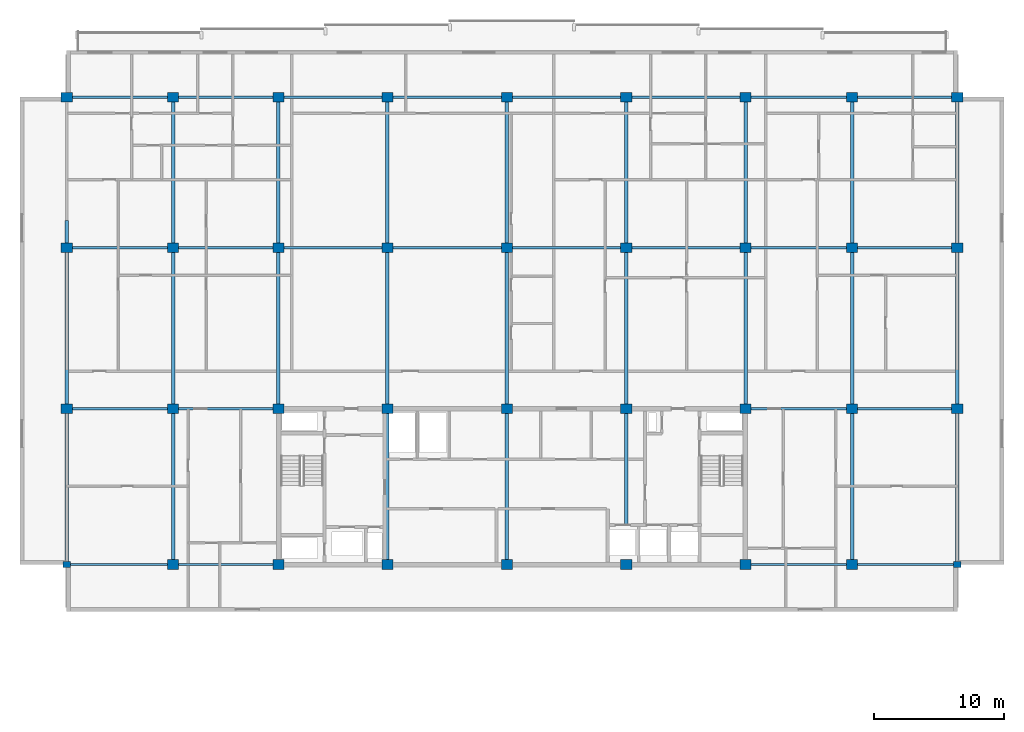
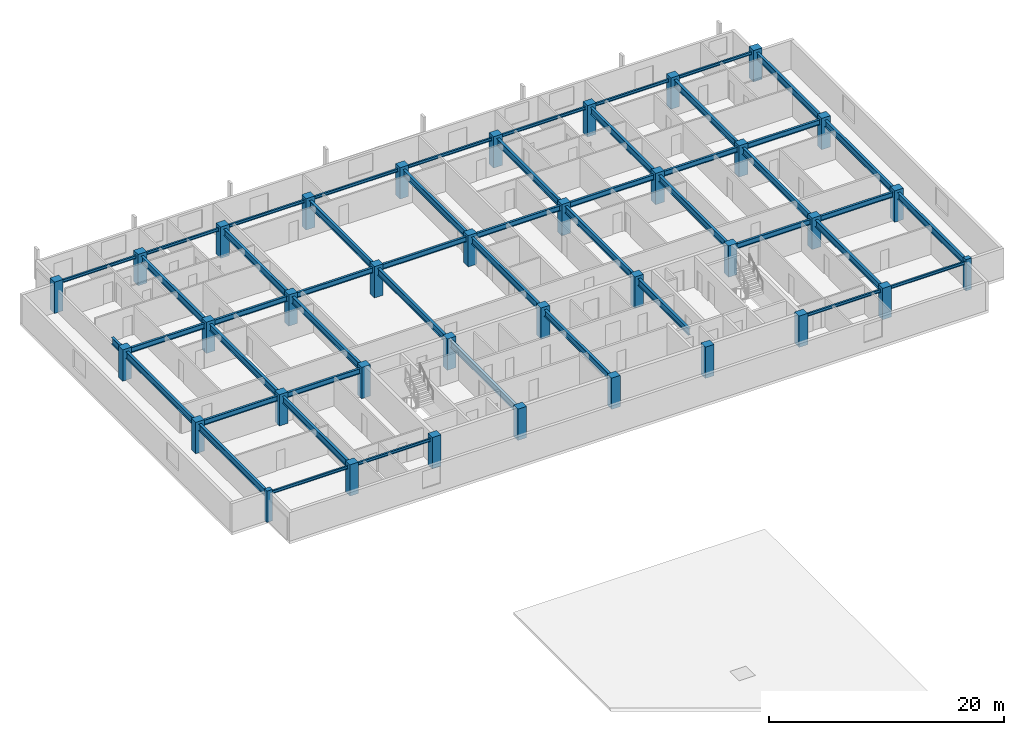
# One storey, part 1 of 11: 49 beams, 36 columns.
"""IFC4 building model written with IfcOpenShell, lengths in metres."""

from ifc_helpers import new_model, si_unit, direction, frame, origin, origin_2d, place, context, subcontext, project, spatial, rectangle, i_section, extrude, material, material_profile, profile_set, type_object, element, save


model = new_model("IFC4")

# Units and contexts
model_context = context("Model", 3, precision=1e-05, world=origin(), true_north=direction((0.0, 1.0)))
body_context = subcontext(model_context, "Body", "Model", "MODEL_VIEW")
ifc_project = project(units=[si_unit("LENGTHUNIT", "METRE"), si_unit("AREAUNIT", "SQUARE_METRE"), si_unit("VOLUMEUNIT", "CUBIC_METRE"), si_unit("PLANEANGLEUNIT", "RADIAN"), si_unit("MASSUNIT", "GRAM", prefix="KILO")], contexts=[model_context])

# Site, building, storey
site_placement = place(None, origin())
site = spatial("IfcSite", under=ifc_project, at=site_placement, CompositionType="ELEMENT")
building_placement = place(site_placement, origin())
building = spatial("IfcBuilding", under=site, at=building_placement, Name="Korimba Cascade Residences", CompositionType="ELEMENT")
storey_placement = place(building_placement, frame((0.0, 0.0, 217.35009765625)))
storey = spatial("IfcBuildingStorey", under=building, at=storey_placement, Name="L63", CompositionType="ELEMENT", Elevation=217.35009765625)

# Columns
ifc_material_1 = material(Name="Concrete C65/80", Category="concrete")
ifc_material_profile_1 = material_profile(ifc_material_1, rectangle(XDim=0.550048828125, YDim=0.449951171875, at=origin_2d()), Name="Concrete C65/80")
ifc_profile_set_1 = profile_set([ifc_material_profile_1], Name="Concrete C65/80")
column_type_1 = type_object("IfcColumnType", Name="COL-PIL-550", PredefinedType="PILASTER", material=ifc_profile_set_1)
for number, where, z_axis, x_axis, name in (
    (1, (59.800048828125, 55.199951171875, 0.0), (0.0, 0.0, 1.0), (1.0, 0.0, 0.0), "L63 Tower 1 Column 1.1"),
    (2, (128.39990234375, 55.199951171875, 0.0), (0.0, 0.0, 1.0), (1.0, 0.0, 0.0), "L63 Tower 1 Column 9.1"),
):
    element("IfcColumn", number, at=place(storey_placement, frame(where, z_axis=z_axis, x_axis=x_axis)), inside=storey, type_object=column_type_1, Name=name, PredefinedType="PILASTER", context=body_context, shape_type="SweptSolid", body=[
        extrude(rectangle(XDim=0.550048828125, YDim=0.449951171875, at=origin_2d()), origin(), (0.0, 0.0, 1.0), 3.25),
    ])
ifc_material_profile_2 = material_profile(ifc_material_1, rectangle(XDim=0.85009765625, YDim=0.75, at=origin_2d()), Name="Concrete C65/80")
ifc_profile_set_2 = profile_set([ifc_material_profile_2], Name="Concrete C65/80")
column_type_2 = type_object("IfcColumnType", Name="COL-RC-850", PredefinedType="COLUMN", material=ifc_profile_set_2)
for number, where, z_axis, x_axis, name in (
    (3, (59.800048828125, 67.199951171875, 0.0), (0.0, 0.0, 1.0), (1.0, 0.0, 0.0), "L63 Tower 1 Column 1.2"),
    (4, (59.800048828125, 79.60009765625, 0.0), (0.0, 0.0, 1.0), (1.0, 0.0, 0.0), "L63 Tower 1 Column 1.3"),
    (5, (59.800048828125, 91.199951171875, 0.0), (0.0, 0.0, 1.0), (1.0, 0.0, 0.0), "L63 Tower 1 Column 1.4"),
    (6, (68.0, 55.199951171875, 0.0), (0.0, 0.0, 1.0), (1.0, 0.0, 0.0), "L63 Tower 1 Column 2.1"),
    (7, (68.0, 67.199951171875, 0.0), (0.0, 0.0, 1.0), (1.0, 0.0, 0.0), "L63 Tower 1 Column 2.2"),
    (8, (68.0, 79.60009765625, 0.0), (0.0, 0.0, 1.0), (1.0, 0.0, 0.0), "L63 Tower 1 Column 2.3"),
    (9, (68.0, 91.199951171875, 0.0), (0.0, 0.0, 1.0), (1.0, 0.0, 0.0), "L63 Tower 1 Column 2.4"),
    (10, (76.10009765625, 55.199951171875, 0.0), (0.0, 0.0, 1.0), (1.0, 0.0, 0.0), "L63 Tower 1 Column 3.1"),
    (11, (76.10009765625, 67.199951171875, 0.0), (0.0, 0.0, 1.0), (1.0, 0.0, 0.0), "L63 Tower 1 Column 3.2"),
    (12, (76.10009765625, 79.60009765625, 0.0), (0.0, 0.0, 1.0), (1.0, 0.0, 0.0), "L63 Tower 1 Column 3.3"),
    (13, (76.10009765625, 91.199951171875, 0.0), (0.0, 0.0, 1.0), (1.0, 0.0, 0.0), "L63 Tower 1 Column 3.4"),
    (14, (84.5, 55.199951171875, 0.0), (0.0, 0.0, 1.0), (1.0, 0.0, 0.0), "L63 Tower 1 Column 4.1"),
    (15, (84.5, 67.199951171875, 0.0), (0.0, 0.0, 1.0), (1.0, 0.0, 0.0), "L63 Tower 1 Column 4.2"),
    (16, (84.5, 79.60009765625, 0.0), (0.0, 0.0, 1.0), (1.0, 0.0, 0.0), "L63 Tower 1 Column 4.3"),
    (17, (84.5, 91.199951171875, 0.0), (0.0, 0.0, 1.0), (1.0, 0.0, 0.0), "L63 Tower 1 Column 4.4"),
    (18, (93.699951171875, 55.199951171875, 0.0), (0.0, 0.0, 1.0), (1.0, 0.0, 0.0), "L63 Tower 1 Column 5.1"),
    (19, (93.699951171875, 67.199951171875, 0.0), (0.0, 0.0, 1.0), (1.0, 0.0, 0.0), "L63 Tower 1 Column 5.2"),
    (20, (93.699951171875, 79.60009765625, 0.0), (0.0, 0.0, 1.0), (1.0, 0.0, 0.0), "L63 Tower 1 Column 5.3"),
    (21, (93.699951171875, 91.199951171875, 0.0), (0.0, 0.0, 1.0), (1.0, 0.0, 0.0), "L63 Tower 1 Column 5.4"),
    (22, (102.89990234375, 55.199951171875, 0.0), (0.0, 0.0, 1.0), (1.0, 0.0, 0.0), "L63 Tower 1 Column 6.1"),
    (23, (102.89990234375, 67.199951171875, 0.0), (0.0, 0.0, 1.0), (1.0, 0.0, 0.0), "L63 Tower 1 Column 6.2"),
    (24, (102.89990234375, 79.60009765625, 0.0), (0.0, 0.0, 1.0), (1.0, 0.0, 0.0), "L63 Tower 1 Column 6.3"),
    (25, (102.89990234375, 91.199951171875, 0.0), (0.0, 0.0, 1.0), (1.0, 0.0, 0.0), "L63 Tower 1 Column 6.4"),
    (26, (112.10009765625, 55.199951171875, 0.0), (0.0, 0.0, 1.0), (1.0, 0.0, 0.0), "L63 Tower 1 Column 7.1"),
    (27, (112.10009765625, 67.199951171875, 0.0), (0.0, 0.0, 1.0), (1.0, 0.0, 0.0), "L63 Tower 1 Column 7.2"),
    (28, (112.10009765625, 79.60009765625, 0.0), (0.0, 0.0, 1.0), (1.0, 0.0, 0.0), "L63 Tower 1 Column 7.3"),
    (29, (112.10009765625, 91.199951171875, 0.0), (0.0, 0.0, 1.0), (1.0, 0.0, 0.0), "L63 Tower 1 Column 7.4"),
    (30, (120.300048828125, 55.199951171875, 0.0), (0.0, 0.0, 1.0), (1.0, 0.0, 0.0), "L63 Tower 1 Column 8.1"),
    (31, (120.300048828125, 67.199951171875, 0.0), (0.0, 0.0, 1.0), (1.0, 0.0, 0.0), "L63 Tower 1 Column 8.2"),
    (32, (120.300048828125, 79.60009765625, 0.0), (0.0, 0.0, 1.0), (1.0, 0.0, 0.0), "L63 Tower 1 Column 8.3"),
    (33, (120.300048828125, 91.199951171875, 0.0), (0.0, 0.0, 1.0), (1.0, 0.0, 0.0), "L63 Tower 1 Column 8.4"),
    (34, (128.39990234375, 67.199951171875, 0.0), (0.0, 0.0, 1.0), (1.0, 0.0, 0.0), "L63 Tower 1 Column 9.2"),
    (35, (128.39990234375, 79.60009765625, 0.0), (0.0, 0.0, 1.0), (1.0, 0.0, 0.0), "L63 Tower 1 Column 9.3"),
    (36, (128.39990234375, 91.199951171875, 0.0), (0.0, 0.0, 1.0), (1.0, 0.0, 0.0), "L63 Tower 1 Column 9.4"),
):
    element("IfcColumn", number, at=place(storey_placement, frame(where, z_axis=z_axis, x_axis=x_axis)), inside=storey, type_object=column_type_2, Name=name, PredefinedType="COLUMN", context=body_context, shape_type="SweptSolid", body=[
        extrude(rectangle(XDim=0.85009765625, YDim=0.75, at=origin_2d()), origin(), (0.0, 0.0, 1.0), 3.25),
    ])

# Beams
ifc_material_2 = material(Name="Steel S355", Category="steel")
ifc_material_profile_3 = material_profile(ifc_material_2, i_section(OverallWidth=0.165771484375, OverallDepth=0.306640625, WebThickness=0.006591796875, FlangeThickness=0.01171875, FilletRadius=0.0087890625, at=origin_2d()), Name="Steel S355")
ifc_profile_set_3 = profile_set([ifc_material_profile_3], Name="Steel S355")
beam_type_1 = type_object("IfcBeamType", Name="BM-STL-UB305", PredefinedType="SPANDREL", material=ifc_profile_set_3)
beam_1_placement = place(storey_placement, frame((60.074951171875, 55.199951171875, 2.816650390625), z_axis=(1.0, 0.0, 0.0), x_axis=(0.0, 1.0, 0.0)))
element("IfcBeam", 37, at=beam_1_placement, inside=storey, type_object=beam_type_1, Name="L63 T1 E-W Girder Y1 Bay 1", PredefinedType="SPANDREL", context=body_context, shape_type="SweptSolid", body=[
    extrude(i_section(OverallWidth=0.165771484375, OverallDepth=0.306640625, WebThickness=0.006591796875, FlangeThickness=0.01171875, FilletRadius=0.0087890625, at=origin_2d()), origin(), (0.0, 0.0, 1.0), 7.5),
])
beam_2_placement = place(storey_placement, frame((68.425048828125, 55.199951171875, 2.816650390625), z_axis=(1.0, 0.0, 0.0), x_axis=(0.0, 1.0, 0.0)))
element("IfcBeam", 38, at=beam_2_placement, inside=storey, type_object=beam_type_1, Name="L63 T1 E-W Girder Y1 Bay 2", PredefinedType="SPANDREL", context=body_context, shape_type="SweptSolid", body=[
    extrude(i_section(OverallWidth=0.165771484375, OverallDepth=0.306640625, WebThickness=0.006591796875, FlangeThickness=0.01171875, FilletRadius=0.0087890625, at=origin_2d()), origin(), (0.0, 0.0, 1.0), 7.25),
])
beam_3_placement = place(storey_placement, frame((112.52490234375, 55.199951171875, 2.816650390625), z_axis=(1.0, 0.0, 0.0), x_axis=(0.0, 1.0, 0.0)))
element("IfcBeam", 39, at=beam_3_placement, inside=storey, type_object=beam_type_1, Name="L63 T1 E-W Girder Y1 Bay 7", PredefinedType="SPANDREL", context=body_context, shape_type="SweptSolid", body=[
    extrude(i_section(OverallWidth=0.165771484375, OverallDepth=0.306640625, WebThickness=0.006591796875, FlangeThickness=0.01171875, FilletRadius=0.0087890625, at=origin_2d()), origin(), (0.0, 0.0, 1.0), 7.35009765625),
])
beam_4_placement = place(storey_placement, frame((120.72509765625, 55.199951171875, 2.816650390625), z_axis=(1.0, 0.0, 0.0), x_axis=(0.0, 1.0, 0.0)))
element("IfcBeam", 40, at=beam_4_placement, inside=storey, type_object=beam_type_1, Name="L63 T1 E-W Girder Y1 Bay 8", PredefinedType="SPANDREL", context=body_context, shape_type="SweptSolid", body=[
    extrude(i_section(OverallWidth=0.165771484375, OverallDepth=0.306640625, WebThickness=0.006591796875, FlangeThickness=0.01171875, FilletRadius=0.0087890625, at=origin_2d()), origin(), (0.0, 0.0, 1.0), 7.39990234375),
])
beam_5_placement = place(storey_placement, frame((60.22509765625, 91.199951171875, 2.816650390625), z_axis=(1.0, 0.0, 0.0), x_axis=(0.0, 1.0, 0.0)))
element("IfcBeam", 41, at=beam_5_placement, inside=storey, type_object=beam_type_1, Name="L63 T1 E-W Girder Y4 Bay 1", PredefinedType="SPANDREL", context=body_context, shape_type="SweptSolid", body=[
    extrude(i_section(OverallWidth=0.165771484375, OverallDepth=0.306640625, WebThickness=0.006591796875, FlangeThickness=0.01171875, FilletRadius=0.0087890625, at=origin_2d()), origin(), (0.0, 0.0, 1.0), 7.349853515625),
])
beam_6_placement = place(storey_placement, frame((68.425048828125, 91.199951171875, 2.816650390625), z_axis=(1.0, 0.0, 0.0), x_axis=(0.0, 1.0, 0.0)))
element("IfcBeam", 42, at=beam_6_placement, inside=storey, type_object=beam_type_1, Name="L63 T1 E-W Girder Y4 Bay 2", PredefinedType="SPANDREL", context=body_context, shape_type="SweptSolid", body=[
    extrude(i_section(OverallWidth=0.165771484375, OverallDepth=0.306640625, WebThickness=0.006591796875, FlangeThickness=0.01171875, FilletRadius=0.0087890625, at=origin_2d()), origin(), (0.0, 0.0, 1.0), 7.25),
])
beam_7_placement = place(storey_placement, frame((76.52490234375, 91.199951171875, 2.816650390625), z_axis=(1.0, 0.0, 0.0), x_axis=(0.0, 1.0, 0.0)))
element("IfcBeam", 43, at=beam_7_placement, inside=storey, type_object=beam_type_1, Name="L63 T1 E-W Girder Y4 Bay 3", PredefinedType="SPANDREL", context=body_context, shape_type="SweptSolid", body=[
    extrude(i_section(OverallWidth=0.165771484375, OverallDepth=0.306640625, WebThickness=0.006591796875, FlangeThickness=0.01171875, FilletRadius=0.0087890625, at=origin_2d()), origin(), (0.0, 0.0, 1.0), 7.550048828125),
])
beam_8_placement = place(storey_placement, frame((84.925048828125, 91.199951171875, 2.816650390625), z_axis=(1.0, 0.0, 0.0), x_axis=(0.0, 1.0, 0.0)))
element("IfcBeam", 44, at=beam_8_placement, inside=storey, type_object=beam_type_1, Name="L63 T1 E-W Girder Y4 Bay 4", PredefinedType="SPANDREL", context=body_context, shape_type="SweptSolid", body=[
    extrude(i_section(OverallWidth=0.165771484375, OverallDepth=0.306640625, WebThickness=0.006591796875, FlangeThickness=0.01171875, FilletRadius=0.0087890625, at=origin_2d()), origin(), (0.0, 0.0, 1.0), 8.349853515625),
])
for number, where, z_axis, x_axis, name in (
    (45, (94.125, 91.199951171875, 2.816650390625), (1.0, 0.0, 0.0), (0.0, 1.0, 0.0), "L63 T1 E-W Girder Y4 Bay 5"),
    (46, (103.324951171875, 91.199951171875, 2.816650390625), (1.0, 0.0, 0.0), (0.0, 1.0, 0.0), "L63 T1 E-W Girder Y4 Bay 6"),
):
    element("IfcBeam", number, at=place(storey_placement, frame(where, z_axis=z_axis, x_axis=x_axis)), inside=storey, type_object=beam_type_1, Name=name, PredefinedType="SPANDREL", context=body_context, shape_type="SweptSolid", body=[
        extrude(i_section(OverallWidth=0.165771484375, OverallDepth=0.306640625, WebThickness=0.006591796875, FlangeThickness=0.01171875, FilletRadius=0.0087890625, at=origin_2d()), origin(), (0.0, 0.0, 1.0), 8.35009765625),
    ])
beam_9_placement = place(storey_placement, frame((112.52490234375, 91.199951171875, 2.816650390625), z_axis=(1.0, 0.0, 0.0), x_axis=(0.0, 1.0, 0.0)))
element("IfcBeam", 47, at=beam_9_placement, inside=storey, type_object=beam_type_1, Name="L63 T1 E-W Girder Y4 Bay 7", PredefinedType="SPANDREL", context=body_context, shape_type="SweptSolid", body=[
    extrude(i_section(OverallWidth=0.165771484375, OverallDepth=0.306640625, WebThickness=0.006591796875, FlangeThickness=0.01171875, FilletRadius=0.0087890625, at=origin_2d()), origin(), (0.0, 0.0, 1.0), 7.35009765625),
])
beam_10_placement = place(storey_placement, frame((120.72509765625, 91.199951171875, 2.816650390625), z_axis=(1.0, 0.0, 0.0), x_axis=(0.0, 1.0, 0.0)))
element("IfcBeam", 48, at=beam_10_placement, inside=storey, type_object=beam_type_1, Name="L63 T1 E-W Girder Y4 Bay 8", PredefinedType="SPANDREL", context=body_context, shape_type="SweptSolid", body=[
    extrude(i_section(OverallWidth=0.165771484375, OverallDepth=0.306640625, WebThickness=0.006591796875, FlangeThickness=0.01171875, FilletRadius=0.0087890625, at=origin_2d()), origin(), (0.0, 0.0, 1.0), 7.25),
])
ifc_material_profile_4 = material_profile(ifc_material_2, i_section(OverallWidth=0.2099609375, OverallDepth=0.53662109375, WebThickness=0.0107421875, FlangeThickness=0.017333984375, FilletRadius=0.0126953125, at=origin_2d()), Name="Steel S355")
ifc_profile_set_4 = profile_set([ifc_material_profile_4], Name="Steel S355")
beam_type_2 = type_object("IfcBeamType", Name="BM-STL-UB533", PredefinedType="BEAM", material=ifc_profile_set_4)
beam_11_placement = place(storey_placement, frame((60.22509765625, 67.199951171875, 2.701416015625), z_axis=(1.0, 0.0, 0.0), x_axis=(0.0, 1.0, 0.0)))
element("IfcBeam", 49, at=beam_11_placement, inside=storey, type_object=beam_type_2, Name="L63 T1 E-W Girder Y2 Bay 1", PredefinedType="BEAM", context=body_context, shape_type="SweptSolid", body=[
    extrude(i_section(OverallWidth=0.2099609375, OverallDepth=0.53662109375, WebThickness=0.0107421875, FlangeThickness=0.017333984375, FilletRadius=0.0126953125, at=origin_2d()), origin(), (0.0, 0.0, 1.0), 7.349853515625),
])
beam_12_placement = place(storey_placement, frame((68.425048828125, 67.199951171875, 2.701416015625), z_axis=(1.0, 0.0, 0.0), x_axis=(0.0, 1.0, 0.0)))
element("IfcBeam", 50, at=beam_12_placement, inside=storey, type_object=beam_type_2, Name="L63 T1 E-W Girder Y2 Bay 2", PredefinedType="BEAM", context=body_context, shape_type="SweptSolid", body=[
    extrude(i_section(OverallWidth=0.2099609375, OverallDepth=0.53662109375, WebThickness=0.0107421875, FlangeThickness=0.017333984375, FilletRadius=0.0126953125, at=origin_2d()), origin(), (0.0, 0.0, 1.0), 7.25),
])
beam_13_placement = place(storey_placement, frame((112.52490234375, 67.199951171875, 2.701416015625), z_axis=(1.0, 0.0, 0.0), x_axis=(0.0, 1.0, 0.0)))
element("IfcBeam", 51, at=beam_13_placement, inside=storey, type_object=beam_type_2, Name="L63 T1 E-W Girder Y2 Bay 7", PredefinedType="BEAM", context=body_context, shape_type="SweptSolid", body=[
    extrude(i_section(OverallWidth=0.2099609375, OverallDepth=0.53662109375, WebThickness=0.0107421875, FlangeThickness=0.017333984375, FilletRadius=0.0126953125, at=origin_2d()), origin(), (0.0, 0.0, 1.0), 7.35009765625),
])
beam_14_placement = place(storey_placement, frame((120.72509765625, 67.199951171875, 2.701416015625), z_axis=(1.0, 0.0, 0.0), x_axis=(0.0, 1.0, 0.0)))
element("IfcBeam", 52, at=beam_14_placement, inside=storey, type_object=beam_type_2, Name="L63 T1 E-W Girder Y2 Bay 8", PredefinedType="BEAM", context=body_context, shape_type="SweptSolid", body=[
    extrude(i_section(OverallWidth=0.2099609375, OverallDepth=0.53662109375, WebThickness=0.0107421875, FlangeThickness=0.017333984375, FilletRadius=0.0126953125, at=origin_2d()), origin(), (0.0, 0.0, 1.0), 7.25),
])
beam_15_placement = place(storey_placement, frame((60.22509765625, 79.60009765625, 2.701416015625), z_axis=(1.0, 0.0, 0.0), x_axis=(0.0, 1.0, 0.0)))
element("IfcBeam", 53, at=beam_15_placement, inside=storey, type_object=beam_type_2, Name="L63 T1 E-W Girder Y3 Bay 1", PredefinedType="BEAM", context=body_context, shape_type="SweptSolid", body=[
    extrude(i_section(OverallWidth=0.2099609375, OverallDepth=0.53662109375, WebThickness=0.0107421875, FlangeThickness=0.017333984375, FilletRadius=0.0126953125, at=origin_2d()), origin(), (0.0, 0.0, 1.0), 7.349853515625),
])
beam_16_placement = place(storey_placement, frame((68.425048828125, 79.60009765625, 2.701416015625), z_axis=(1.0, 0.0, 0.0), x_axis=(0.0, 1.0, 0.0)))
element("IfcBeam", 54, at=beam_16_placement, inside=storey, type_object=beam_type_2, Name="L63 T1 E-W Girder Y3 Bay 2", PredefinedType="BEAM", context=body_context, shape_type="SweptSolid", body=[
    extrude(i_section(OverallWidth=0.2099609375, OverallDepth=0.53662109375, WebThickness=0.0107421875, FlangeThickness=0.017333984375, FilletRadius=0.0126953125, at=origin_2d()), origin(), (0.0, 0.0, 1.0), 7.25),
])
beam_17_placement = place(storey_placement, frame((76.52490234375, 79.60009765625, 2.701416015625), z_axis=(1.0, 0.0, 0.0), x_axis=(0.0, 1.0, 0.0)))
element("IfcBeam", 55, at=beam_17_placement, inside=storey, type_object=beam_type_2, Name="L63 T1 E-W Girder Y3 Bay 3", PredefinedType="BEAM", context=body_context, shape_type="SweptSolid", body=[
    extrude(i_section(OverallWidth=0.2099609375, OverallDepth=0.53662109375, WebThickness=0.0107421875, FlangeThickness=0.017333984375, FilletRadius=0.0126953125, at=origin_2d()), origin(), (0.0, 0.0, 1.0), 7.550048828125),
])
beam_18_placement = place(storey_placement, frame((84.925048828125, 79.60009765625, 2.701416015625), z_axis=(1.0, 0.0, 0.0), x_axis=(0.0, 1.0, 0.0)))
element("IfcBeam", 56, at=beam_18_placement, inside=storey, type_object=beam_type_2, Name="L63 T1 E-W Girder Y3 Bay 4", PredefinedType="BEAM", context=body_context, shape_type="SweptSolid", body=[
    extrude(i_section(OverallWidth=0.2099609375, OverallDepth=0.53662109375, WebThickness=0.0107421875, FlangeThickness=0.017333984375, FilletRadius=0.0126953125, at=origin_2d()), origin(), (0.0, 0.0, 1.0), 8.349853515625),
])
for number, where, z_axis, x_axis, name in (
    (57, (94.125, 79.60009765625, 2.701416015625), (1.0, 0.0, 0.0), (0.0, 1.0, 0.0), "L63 T1 E-W Girder Y3 Bay 5"),
    (58, (103.324951171875, 79.60009765625, 2.701416015625), (1.0, 0.0, 0.0), (0.0, 1.0, 0.0), "L63 T1 E-W Girder Y3 Bay 6"),
):
    element("IfcBeam", number, at=place(storey_placement, frame(where, z_axis=z_axis, x_axis=x_axis)), inside=storey, type_object=beam_type_2, Name=name, PredefinedType="BEAM", context=body_context, shape_type="SweptSolid", body=[
        extrude(i_section(OverallWidth=0.2099609375, OverallDepth=0.53662109375, WebThickness=0.0107421875, FlangeThickness=0.017333984375, FilletRadius=0.0126953125, at=origin_2d()), origin(), (0.0, 0.0, 1.0), 8.35009765625),
    ])
beam_19_placement = place(storey_placement, frame((112.52490234375, 79.60009765625, 2.701416015625), z_axis=(1.0, 0.0, 0.0), x_axis=(0.0, 1.0, 0.0)))
element("IfcBeam", 59, at=beam_19_placement, inside=storey, type_object=beam_type_2, Name="L63 T1 E-W Girder Y3 Bay 7", PredefinedType="BEAM", context=body_context, shape_type="SweptSolid", body=[
    extrude(i_section(OverallWidth=0.2099609375, OverallDepth=0.53662109375, WebThickness=0.0107421875, FlangeThickness=0.017333984375, FilletRadius=0.0126953125, at=origin_2d()), origin(), (0.0, 0.0, 1.0), 7.35009765625),
])
beam_20_placement = place(storey_placement, frame((120.72509765625, 79.60009765625, 2.701416015625), z_axis=(1.0, 0.0, 0.0), x_axis=(0.0, 1.0, 0.0)))
element("IfcBeam", 60, at=beam_20_placement, inside=storey, type_object=beam_type_2, Name="L63 T1 E-W Girder Y3 Bay 8", PredefinedType="BEAM", context=body_context, shape_type="SweptSolid", body=[
    extrude(i_section(OverallWidth=0.2099609375, OverallDepth=0.53662109375, WebThickness=0.0107421875, FlangeThickness=0.017333984375, FilletRadius=0.0126953125, at=origin_2d()), origin(), (0.0, 0.0, 1.0), 7.25),
])
ifc_material_profile_5 = material_profile(ifc_material_2, i_section(OverallWidth=0.255859375, OverallDepth=0.69287109375, WebThickness=0.014404296875, FlangeThickness=0.023681640625, FilletRadius=0.01513671875, at=origin_2d()), Name="Steel S355")
ifc_profile_set_5 = profile_set([ifc_material_profile_5], Name="Steel S355")
beam_type_3 = type_object("IfcBeamType", Name="BM-STL-UB686", PredefinedType="BEAM", material=ifc_profile_set_5)
beam_21_placement = place(storey_placement, frame((59.800048828125, 55.425048828125, 2.623291015625), z_axis=(0.0, 1.0, 0.0), x_axis=(-1.0, 0.0, 0.0)))
element("IfcBeam", 61, at=beam_21_placement, inside=storey, type_object=beam_type_3, Name="L63 T1 N-S Girder X1 Seg 1", PredefinedType="BEAM", context=body_context, shape_type="SweptSolid", body=[
    extrude(i_section(OverallWidth=0.255859375, OverallDepth=0.69287109375, WebThickness=0.014404296875, FlangeThickness=0.023681640625, FilletRadius=0.01513671875, at=origin_2d()), origin(), (0.0, 0.0, 1.0), 11.39990234375),
])
beam_22_placement = place(storey_placement, frame((59.800048828125, 67.574951171875, 2.623291015625), z_axis=(0.0, 1.0, 0.0), x_axis=(-1.0, 0.0, 0.0)))
element("IfcBeam", 62, at=beam_22_placement, inside=storey, type_object=beam_type_3, Name="L63 T1 N-S Girder X1 Seg 2", PredefinedType="BEAM", context=body_context, shape_type="SweptSolid", body=[
    extrude(i_section(OverallWidth=0.255859375, OverallDepth=0.69287109375, WebThickness=0.014404296875, FlangeThickness=0.023681640625, FilletRadius=0.01513671875, at=origin_2d()), origin(), (0.0, 0.0, 1.0), 11.650146484375),
])
beam_23_placement = place(storey_placement, frame((59.800048828125, 79.97509765625, 2.623291015625), z_axis=(0.0, 1.0, 0.0), x_axis=(-1.0, 0.0, 0.0)))
element("IfcBeam", 63, at=beam_23_placement, inside=storey, type_object=beam_type_3, Name="L63 T1 N-S Girder X1 Seg 3", PredefinedType="BEAM", context=body_context, shape_type="SweptSolid", body=[
    extrude(i_section(OverallWidth=0.255859375, OverallDepth=0.69287109375, WebThickness=0.014404296875, FlangeThickness=0.023681640625, FilletRadius=0.01513671875, at=origin_2d()), origin(), (0.0, 0.0, 1.0), 1.724853515625),
])
beam_24_placement = place(storey_placement, frame((68.0, 55.574951171875, 2.623291015625), z_axis=(0.0, 1.0, 0.0), x_axis=(-1.0, 0.0, 0.0)))
element("IfcBeam", 64, at=beam_24_placement, inside=storey, type_object=beam_type_3, Name="L63 T1 N-S Girder X2 Seg 1", PredefinedType="BEAM", context=body_context, shape_type="SweptSolid", body=[
    extrude(i_section(OverallWidth=0.255859375, OverallDepth=0.69287109375, WebThickness=0.014404296875, FlangeThickness=0.023681640625, FilletRadius=0.01513671875, at=origin_2d()), origin(), (0.0, 0.0, 1.0), 11.25),
])
beam_25_placement = place(storey_placement, frame((68.0, 67.574951171875, 2.623291015625), z_axis=(0.0, 1.0, 0.0), x_axis=(-1.0, 0.0, 0.0)))
element("IfcBeam", 65, at=beam_25_placement, inside=storey, type_object=beam_type_3, Name="L63 T1 N-S Girder X2 Seg 2", PredefinedType="BEAM", context=body_context, shape_type="SweptSolid", body=[
    extrude(i_section(OverallWidth=0.255859375, OverallDepth=0.69287109375, WebThickness=0.014404296875, FlangeThickness=0.023681640625, FilletRadius=0.01513671875, at=origin_2d()), origin(), (0.0, 0.0, 1.0), 11.650146484375),
])
beam_26_placement = place(storey_placement, frame((68.0, 79.97509765625, 2.623291015625), z_axis=(0.0, 1.0, 0.0), x_axis=(-1.0, 0.0, 0.0)))
element("IfcBeam", 66, at=beam_26_placement, inside=storey, type_object=beam_type_3, Name="L63 T1 N-S Girder X2 Seg 3", PredefinedType="BEAM", context=body_context, shape_type="SweptSolid", body=[
    extrude(i_section(OverallWidth=0.255859375, OverallDepth=0.69287109375, WebThickness=0.014404296875, FlangeThickness=0.023681640625, FilletRadius=0.01513671875, at=origin_2d()), origin(), (0.0, 0.0, 1.0), 10.849853515625),
])
beam_27_placement = place(storey_placement, frame((76.10009765625, 67.574951171875, 2.623291015625), z_axis=(0.0, 1.0, 0.0), x_axis=(-1.0, 0.0, 0.0)))
element("IfcBeam", 67, at=beam_27_placement, inside=storey, type_object=beam_type_3, Name="L63 T1 N-S Girder X3 Seg 2", PredefinedType="BEAM", context=body_context, shape_type="SweptSolid", body=[
    extrude(i_section(OverallWidth=0.255859375, OverallDepth=0.69287109375, WebThickness=0.014404296875, FlangeThickness=0.023681640625, FilletRadius=0.01513671875, at=origin_2d()), origin(), (0.0, 0.0, 1.0), 11.650146484375),
])
beam_28_placement = place(storey_placement, frame((76.10009765625, 79.97509765625, 2.623291015625), z_axis=(0.0, 1.0, 0.0), x_axis=(-1.0, 0.0, 0.0)))
element("IfcBeam", 68, at=beam_28_placement, inside=storey, type_object=beam_type_3, Name="L63 T1 N-S Girder X3 Seg 3", PredefinedType="BEAM", context=body_context, shape_type="SweptSolid", body=[
    extrude(i_section(OverallWidth=0.255859375, OverallDepth=0.69287109375, WebThickness=0.014404296875, FlangeThickness=0.023681640625, FilletRadius=0.01513671875, at=origin_2d()), origin(), (0.0, 0.0, 1.0), 10.849853515625),
])
beam_29_placement = place(storey_placement, frame((84.5, 55.574951171875, 2.623291015625), z_axis=(0.0, 1.0, 0.0), x_axis=(-1.0, 0.0, 0.0)))
element("IfcBeam", 69, at=beam_29_placement, inside=storey, type_object=beam_type_3, Name="L63 T1 N-S Girder X4 Seg 1", PredefinedType="BEAM", context=body_context, shape_type="SweptSolid", body=[
    extrude(i_section(OverallWidth=0.255859375, OverallDepth=0.69287109375, WebThickness=0.014404296875, FlangeThickness=0.023681640625, FilletRadius=0.01513671875, at=origin_2d()), origin(), (0.0, 0.0, 1.0), 11.25),
])
beam_30_placement = place(storey_placement, frame((84.5, 67.574951171875, 2.623291015625), z_axis=(0.0, 1.0, 0.0), x_axis=(-1.0, 0.0, 0.0)))
element("IfcBeam", 70, at=beam_30_placement, inside=storey, type_object=beam_type_3, Name="L63 T1 N-S Girder X4 Seg 2", PredefinedType="BEAM", context=body_context, shape_type="SweptSolid", body=[
    extrude(i_section(OverallWidth=0.255859375, OverallDepth=0.69287109375, WebThickness=0.014404296875, FlangeThickness=0.023681640625, FilletRadius=0.01513671875, at=origin_2d()), origin(), (0.0, 0.0, 1.0), 11.650146484375),
])
beam_31_placement = place(storey_placement, frame((84.5, 79.97509765625, 2.623291015625), z_axis=(0.0, 1.0, 0.0), x_axis=(-1.0, 0.0, 0.0)))
element("IfcBeam", 71, at=beam_31_placement, inside=storey, type_object=beam_type_3, Name="L63 T1 N-S Girder X4 Seg 3", PredefinedType="BEAM", context=body_context, shape_type="SweptSolid", body=[
    extrude(i_section(OverallWidth=0.255859375, OverallDepth=0.69287109375, WebThickness=0.014404296875, FlangeThickness=0.023681640625, FilletRadius=0.01513671875, at=origin_2d()), origin(), (0.0, 0.0, 1.0), 10.849853515625),
])
beam_32_placement = place(storey_placement, frame((93.699951171875, 55.574951171875, 2.623291015625), z_axis=(0.0, 1.0, 0.0), x_axis=(-1.0, 0.0, 0.0)))
element("IfcBeam", 72, at=beam_32_placement, inside=storey, type_object=beam_type_3, Name="L63 T1 N-S Girder X5 Seg 1", PredefinedType="BEAM", context=body_context, shape_type="SweptSolid", body=[
    extrude(i_section(OverallWidth=0.255859375, OverallDepth=0.69287109375, WebThickness=0.014404296875, FlangeThickness=0.023681640625, FilletRadius=0.01513671875, at=origin_2d()), origin(), (0.0, 0.0, 1.0), 11.25),
])
beam_33_placement = place(storey_placement, frame((93.699951171875, 67.574951171875, 2.623291015625), z_axis=(0.0, 1.0, 0.0), x_axis=(-1.0, 0.0, 0.0)))
element("IfcBeam", 73, at=beam_33_placement, inside=storey, type_object=beam_type_3, Name="L63 T1 N-S Girder X5 Seg 2", PredefinedType="BEAM", context=body_context, shape_type="SweptSolid", body=[
    extrude(i_section(OverallWidth=0.255859375, OverallDepth=0.69287109375, WebThickness=0.014404296875, FlangeThickness=0.023681640625, FilletRadius=0.01513671875, at=origin_2d()), origin(), (0.0, 0.0, 1.0), 11.650146484375),
])
beam_34_placement = place(storey_placement, frame((93.699951171875, 79.97509765625, 2.623291015625), z_axis=(0.0, 1.0, 0.0), x_axis=(-1.0, 0.0, 0.0)))
element("IfcBeam", 74, at=beam_34_placement, inside=storey, type_object=beam_type_3, Name="L63 T1 N-S Girder X5 Seg 3", PredefinedType="BEAM", context=body_context, shape_type="SweptSolid", body=[
    extrude(i_section(OverallWidth=0.255859375, OverallDepth=0.69287109375, WebThickness=0.014404296875, FlangeThickness=0.023681640625, FilletRadius=0.01513671875, at=origin_2d()), origin(), (0.0, 0.0, 1.0), 10.849853515625),
])
beam_35_placement = place(storey_placement, frame((102.89990234375, 58.260009765625, 2.623291015625), z_axis=(0.0, 1.0, 0.0), x_axis=(-1.0, 0.0, 0.0)))
element("IfcBeam", 75, at=beam_35_placement, inside=storey, type_object=beam_type_3, Name="L63 T1 N-S Girder X6 Seg 1", PredefinedType="BEAM", context=body_context, shape_type="SweptSolid", body=[
    extrude(i_section(OverallWidth=0.255859375, OverallDepth=0.69287109375, WebThickness=0.014404296875, FlangeThickness=0.023681640625, FilletRadius=0.01513671875, at=origin_2d()), origin(), (0.0, 0.0, 1.0), 8.56494140625),
])
beam_36_placement = place(storey_placement, frame((102.89990234375, 67.574951171875, 2.623291015625), z_axis=(0.0, 1.0, 0.0), x_axis=(-1.0, 0.0, 0.0)))
element("IfcBeam", 76, at=beam_36_placement, inside=storey, type_object=beam_type_3, Name="L63 T1 N-S Girder X6 Seg 2", PredefinedType="BEAM", context=body_context, shape_type="SweptSolid", body=[
    extrude(i_section(OverallWidth=0.255859375, OverallDepth=0.69287109375, WebThickness=0.014404296875, FlangeThickness=0.023681640625, FilletRadius=0.01513671875, at=origin_2d()), origin(), (0.0, 0.0, 1.0), 11.650146484375),
])
beam_37_placement = place(storey_placement, frame((102.89990234375, 79.97509765625, 2.623291015625), z_axis=(0.0, 1.0, 0.0), x_axis=(-1.0, 0.0, 0.0)))
element("IfcBeam", 77, at=beam_37_placement, inside=storey, type_object=beam_type_3, Name="L63 T1 N-S Girder X6 Seg 3", PredefinedType="BEAM", context=body_context, shape_type="SweptSolid", body=[
    extrude(i_section(OverallWidth=0.255859375, OverallDepth=0.69287109375, WebThickness=0.014404296875, FlangeThickness=0.023681640625, FilletRadius=0.01513671875, at=origin_2d()), origin(), (0.0, 0.0, 1.0), 10.849853515625),
])
beam_38_placement = place(storey_placement, frame((112.10009765625, 67.574951171875, 2.623291015625), z_axis=(0.0, 1.0, 0.0), x_axis=(-1.0, 0.0, 0.0)))
element("IfcBeam", 78, at=beam_38_placement, inside=storey, type_object=beam_type_3, Name="L63 T1 N-S Girder X7 Seg 2", PredefinedType="BEAM", context=body_context, shape_type="SweptSolid", body=[
    extrude(i_section(OverallWidth=0.255859375, OverallDepth=0.69287109375, WebThickness=0.014404296875, FlangeThickness=0.023681640625, FilletRadius=0.01513671875, at=origin_2d()), origin(), (0.0, 0.0, 1.0), 11.650146484375),
])
beam_39_placement = place(storey_placement, frame((112.10009765625, 79.97509765625, 2.623291015625), z_axis=(0.0, 1.0, 0.0), x_axis=(-1.0, 0.0, 0.0)))
element("IfcBeam", 79, at=beam_39_placement, inside=storey, type_object=beam_type_3, Name="L63 T1 N-S Girder X7 Seg 3", PredefinedType="BEAM", context=body_context, shape_type="SweptSolid", body=[
    extrude(i_section(OverallWidth=0.255859375, OverallDepth=0.69287109375, WebThickness=0.014404296875, FlangeThickness=0.023681640625, FilletRadius=0.01513671875, at=origin_2d()), origin(), (0.0, 0.0, 1.0), 10.849853515625),
])
beam_40_placement = place(storey_placement, frame((120.300048828125, 55.574951171875, 2.623291015625), z_axis=(0.0, 1.0, 0.0), x_axis=(-1.0, 0.0, 0.0)))
element("IfcBeam", 80, at=beam_40_placement, inside=storey, type_object=beam_type_3, Name="L63 T1 N-S Girder X8 Seg 1", PredefinedType="BEAM", context=body_context, shape_type="SweptSolid", body=[
    extrude(i_section(OverallWidth=0.255859375, OverallDepth=0.69287109375, WebThickness=0.014404296875, FlangeThickness=0.023681640625, FilletRadius=0.01513671875, at=origin_2d()), origin(), (0.0, 0.0, 1.0), 11.25),
])
beam_41_placement = place(storey_placement, frame((120.300048828125, 67.574951171875, 2.623291015625), z_axis=(0.0, 1.0, 0.0), x_axis=(-1.0, 0.0, 0.0)))
element("IfcBeam", 81, at=beam_41_placement, inside=storey, type_object=beam_type_3, Name="L63 T1 N-S Girder X8 Seg 2", PredefinedType="BEAM", context=body_context, shape_type="SweptSolid", body=[
    extrude(i_section(OverallWidth=0.255859375, OverallDepth=0.69287109375, WebThickness=0.014404296875, FlangeThickness=0.023681640625, FilletRadius=0.01513671875, at=origin_2d()), origin(), (0.0, 0.0, 1.0), 11.650146484375),
])
beam_42_placement = place(storey_placement, frame((120.300048828125, 79.97509765625, 2.623291015625), z_axis=(0.0, 1.0, 0.0), x_axis=(-1.0, 0.0, 0.0)))
element("IfcBeam", 82, at=beam_42_placement, inside=storey, type_object=beam_type_3, Name="L63 T1 N-S Girder X8 Seg 3", PredefinedType="BEAM", context=body_context, shape_type="SweptSolid", body=[
    extrude(i_section(OverallWidth=0.255859375, OverallDepth=0.69287109375, WebThickness=0.014404296875, FlangeThickness=0.023681640625, FilletRadius=0.01513671875, at=origin_2d()), origin(), (0.0, 0.0, 1.0), 10.849853515625),
])
beam_43_placement = place(storey_placement, frame((128.39990234375, 55.425048828125, 2.623291015625), z_axis=(0.0, 1.0, 0.0), x_axis=(-1.0, 0.0, 0.0)))
element("IfcBeam", 83, at=beam_43_placement, inside=storey, type_object=beam_type_3, Name="L63 T1 N-S Girder X9 Seg 1", PredefinedType="BEAM", context=body_context, shape_type="SweptSolid", body=[
    extrude(i_section(OverallWidth=0.255859375, OverallDepth=0.69287109375, WebThickness=0.014404296875, FlangeThickness=0.023681640625, FilletRadius=0.01513671875, at=origin_2d()), origin(), (0.0, 0.0, 1.0), 11.39990234375),
])
beam_44_placement = place(storey_placement, frame((128.39990234375, 67.574951171875, 2.623291015625), z_axis=(0.0, 1.0, 0.0), x_axis=(-1.0, 0.0, 0.0)))
element("IfcBeam", 84, at=beam_44_placement, inside=storey, type_object=beam_type_3, Name="L63 T1 N-S Girder X9 Seg 2", PredefinedType="BEAM", context=body_context, shape_type="SweptSolid", body=[
    extrude(i_section(OverallWidth=0.255859375, OverallDepth=0.69287109375, WebThickness=0.014404296875, FlangeThickness=0.023681640625, FilletRadius=0.01513671875, at=origin_2d()), origin(), (0.0, 0.0, 1.0), 11.650146484375),
])
beam_45_placement = place(storey_placement, frame((128.39990234375, 79.97509765625, 2.623291015625), z_axis=(0.0, 1.0, 0.0), x_axis=(-1.0, 0.0, 0.0)))
element("IfcBeam", 85, at=beam_45_placement, inside=storey, type_object=beam_type_3, Name="L63 T1 N-S Girder X9 Seg 3", PredefinedType="BEAM", context=body_context, shape_type="SweptSolid", body=[
    extrude(i_section(OverallWidth=0.255859375, OverallDepth=0.69287109375, WebThickness=0.014404296875, FlangeThickness=0.023681640625, FilletRadius=0.01513671875, at=origin_2d()), origin(), (0.0, 0.0, 1.0), 10.849853515625),
])

save(model, "model.ifc")
